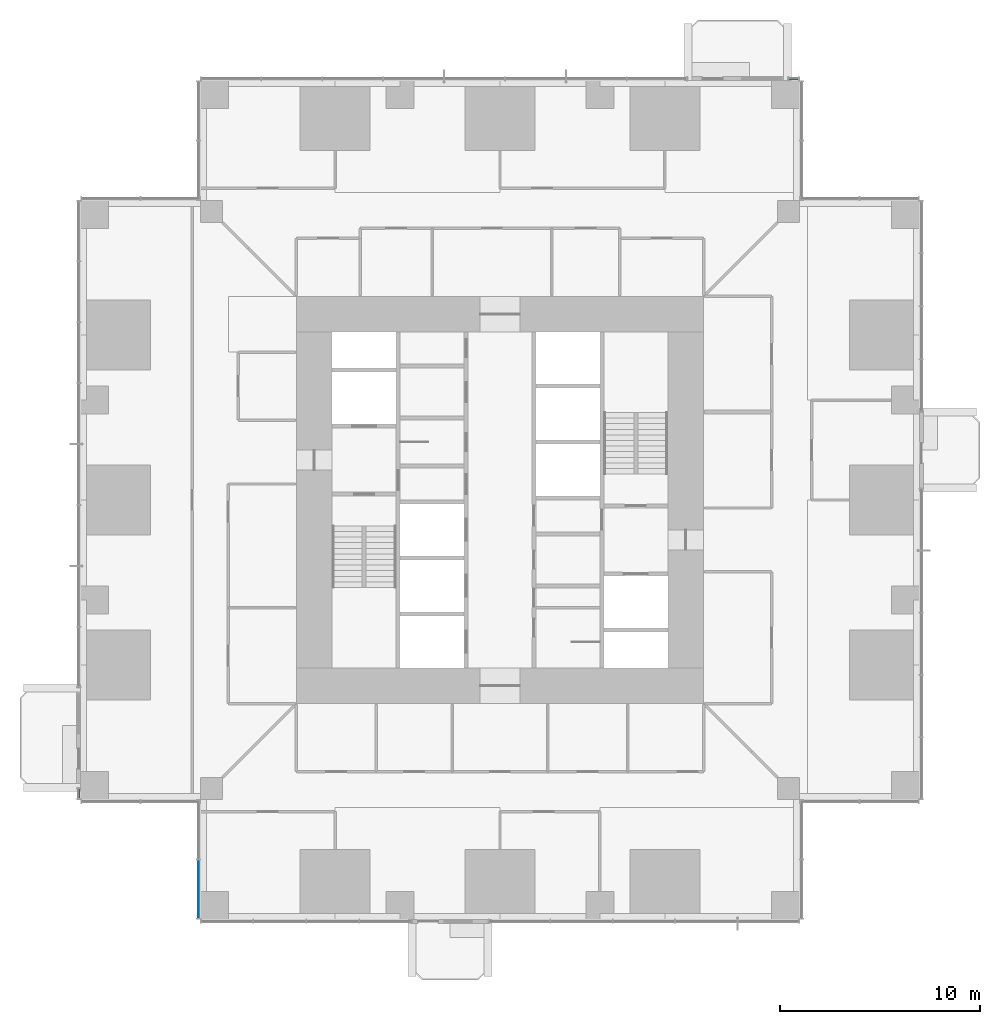
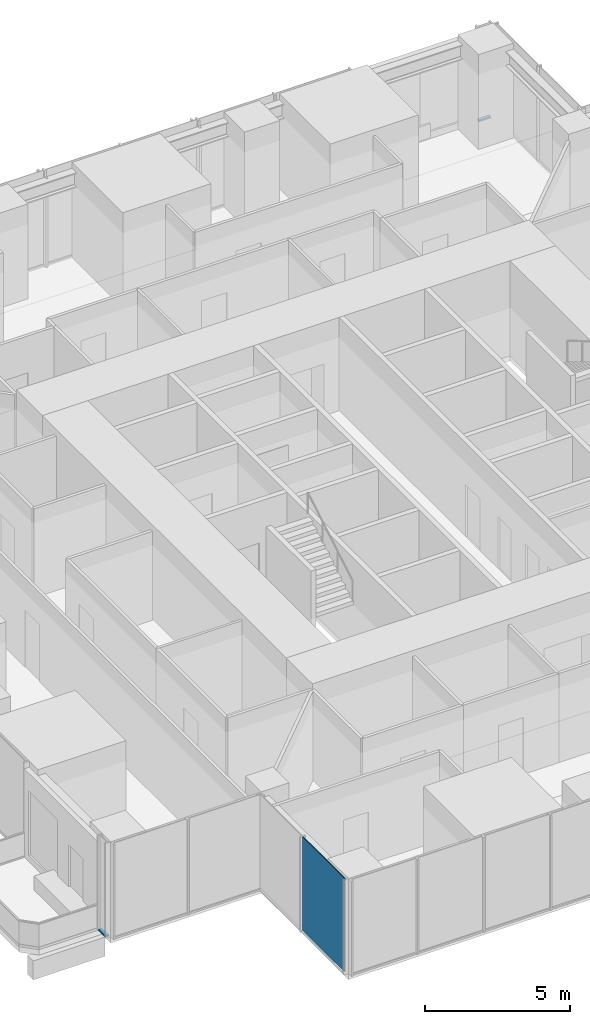
# One storey, part 7 of 18: 2 members, 1 plate, 3 elements without a shape of their own.
"""IFC4 building model written with IfcOpenShell, lengths in metres."""

import ifcopenshell
import ifcopenshell.guid

model = None  # the IFC model being written
_history = None  # IfcOwnerHistory: only IFC2X3 demands one
_inside = {}  # id of a spatial element -> (the spatial element, [elements in it])
_under = {}  # id of a project, library or spatial element -> (it, [spatial elements below it])
_declared = {}  # id of a project -> (the project, [libraries it declares])
_typed = {}  # id of a type object -> (the type object, [elements of that type])
_made_of = {}  # id of a material, layer set ... -> (it, [elements and type objects made of it])


def new_model(schema):
    """Start an empty IFC model of exactly this schema.

    Asked for "IFC4X3", IfcOpenShell would pick the latest addendum, in which some entities
    have other attributes; the version numbers below select the first issue.
    IFC2X3 requires an IfcOwnerHistory on every rooted entity: one is made here for all.
    """
    global model, _history
    if schema == "IFC4X3":
        model = ifcopenshell.file(schema_version=(4, 3, 0, 0))
    else:
        model = ifcopenshell.file(schema=schema)
    _inside.clear()
    _under.clear()
    _declared.clear()
    _typed.clear()
    _made_of.clear()
    _history = None
    if model.schema == "IFC2X3":
        org = make("IfcOrganization", Name="unknown")
        user = make(
            "IfcPersonAndOrganization",
            ThePerson=make("IfcPerson", FamilyName="unknown"),
            TheOrganization=org,
        )
        app = make(
            "IfcApplication",
            ApplicationDeveloper=org,
            Version="unknown",
            ApplicationFullName="unknown",
            ApplicationIdentifier="unknown",
        )
        _history = make(
            "IfcOwnerHistory",
            OwningUser=user,
            OwningApplication=app,
            ChangeAction="ADDED",
            CreationDate=0,
        )
    return model


def make(cls, **values):
    """One entity of the class cls with the attributes given. An attribute that is None is left unset."""
    return model.create_entity(
        cls, **{name: value for name, value in values.items() if value is not None}
    )


def rooted(cls, **values):
    """An entity with a GlobalId (a new one), such as an element, a storey or a relation."""
    return make(cls, GlobalId=ifcopenshell.guid.new(), OwnerHistory=_history, **values)


def si_unit(unit_type, name, prefix=None):
    """IfcSIUnit, for example si_unit("LENGTHUNIT", "METRE", prefix="MILLI")."""
    return make("IfcSIUnit", UnitType=unit_type, Prefix=prefix, Name=name)


def assignment(units):
    """IfcUnitAssignment: the units of a project."""
    return None if units is None else make("IfcUnitAssignment", Units=units)


def point(xyz):
    """IfcCartesianPoint."""
    return None if xyz is None else make("IfcCartesianPoint", Coordinates=xyz)


def direction(xyz):
    """IfcDirection."""
    return None if xyz is None else make("IfcDirection", DirectionRatios=xyz)


def frame(location, z_axis=None, x_axis=None):
    """IfcAxis2Placement3D, a coordinate frame: its origin and axes. An axis left out is left unset."""
    return make(
        "IfcAxis2Placement3D",
        Location=point(location),
        Axis=direction(z_axis),
        RefDirection=direction(x_axis),
    )


def frame_2d(location, x_axis=None):
    """IfcAxis2Placement2D, a coordinate frame in the plane: its origin and x axis."""
    return make(
        "IfcAxis2Placement2D", Location=point(location), RefDirection=direction(x_axis)
    )


def origin():
    """The frame at (0, 0, 0) with its axes left unset."""
    return frame((0.0, 0.0, 0.0))


def origin_2d():
    """The frame at (0, 0) in the plane with its x axis left unset."""
    return frame_2d((0.0, 0.0))


def place(relative_to, where):
    """IfcLocalPlacement: puts the frame where relative to a parent placement (None: the world)."""
    return make(
        "IfcLocalPlacement", PlacementRelTo=relative_to, RelativePlacement=where
    )


def context(
    kind, dimensions, precision=None, world=None, true_north=None, identifier=None
):
    """IfcGeometricRepresentationContext, for example the 3D "Model" context."""
    return make(
        "IfcGeometricRepresentationContext",
        ContextIdentifier=identifier,
        ContextType=kind,
        CoordinateSpaceDimension=dimensions,
        Precision=precision,
        WorldCoordinateSystem=world,
        TrueNorth=true_north,
    )


def subcontext(parent, identifier, kind, view, scale=None):
    """IfcGeometricRepresentationSubContext, for example "Body" below "Model"."""
    return make(
        "IfcGeometricRepresentationSubContext",
        ContextIdentifier=identifier,
        ContextType=kind,
        ParentContext=parent,
        TargetScale=scale,
        TargetView=view,
    )


def project(units=None, contexts=None):
    """IfcProject with its units and contexts."""
    return rooted(
        "IfcProject",
        Name="project",
        RepresentationContexts=contexts,
        UnitsInContext=assignment(units),
    )


def spatial(cls, under=None, at=None, **own):
    """A site, building, storey or space (cls), placed at a placement, below another one or the project."""
    s = rooted(cls, ObjectPlacement=at, **own)
    if under is not None:
        _under.setdefault(under.id(), (under, []))[1].append(s)
    return s


def profile(cls, at=None, kind="AREA", **sizes):
    """A parametric profile (cls). Its sizes go by their IFC names, for example OverallWidth=200.0."""
    return make(cls, ProfileType=kind, Position=at, **sizes)


def rectangle(**sizes):
    """IfcRectangleProfileDef."""
    return profile("IfcRectangleProfileDef", **sizes)


def extrude(swept, where, along, depth):
    """IfcExtrudedAreaSolid: the profile swept, set in the frame where, extruded along a direction by depth."""
    return make(
        "IfcExtrudedAreaSolid",
        SweptArea=swept,
        Position=where,
        ExtrudedDirection=direction(along),
        Depth=depth,
    )


def shape(context_of_items, identifier, shape_type, items):
    """IfcShapeRepresentation: the items that make up one representation, for example the "Body"."""
    return make(
        "IfcShapeRepresentation",
        ContextOfItems=context_of_items,
        RepresentationIdentifier=identifier,
        RepresentationType=shape_type,
        Items=items,
    )


def material(Name=None, Category=None):
    """IfcMaterial."""
    return make("IfcMaterial", Name=Name, Category=Category)


def layer(
    of_material, thickness, ventilated=None, Name=None, Category=None, Priority=None
):
    """IfcMaterialLayer: one layer of a wall or slab, of a material (None: an air gap)."""
    return make(
        "IfcMaterialLayer",
        Material=of_material,
        LayerThickness=thickness,
        IsVentilated=ventilated,
        Name=Name,
        Category=Category,
        Priority=Priority,
    )


def layer_set(layers, Name=None):
    """IfcMaterialLayerSet."""
    return make("IfcMaterialLayerSet", MaterialLayers=layers, LayerSetName=Name)


def material_profile(
    of_material, cross_section, Name=None, Category=None, Priority=None
):
    """IfcMaterialProfile: a cross section and its material."""
    return make(
        "IfcMaterialProfile",
        Name=Name,
        Material=of_material,
        Profile=cross_section,
        Priority=Priority,
        Category=Category,
    )


def profile_set(profiles, Name=None, composite=None):
    """IfcMaterialProfileSet."""
    return make(
        "IfcMaterialProfileSet",
        Name=Name,
        MaterialProfiles=profiles,
        CompositeProfile=composite,
    )


def made_of(thing, what):
    """Note that an element or type object is made of a material, layer set ...; save() writes the relation."""
    if what is not None:
        _made_of.setdefault(what.id(), (what, []))[1].append(thing)
    return thing


def type_object(cls, material=None, **own):
    """A type object (cls), such as IfcWallType, which elements share."""
    return made_of(rooted(cls, **own), material)


def element(
    cls,
    number,
    at=None,
    inside=None,
    cuts=None,
    type_object=None,
    material=None,
    context=None,
    identifier="Body",
    shape_type=None,
    held_by="IfcProductDefinitionShape",
    body=None,
    shapes=None,
    **own,
):
    """One element of the class cls, such as IfcWall. Its Tag is "e" and its number.

    at: its placement. inside: the storey or other place that contains it. cuts: it is an
    opening in that element (IfcRelVoidsElement). A single representation is given by context,
    identifier, shape_type and body (its items); several are given by shapes. held_by: the class
    of the entity that holds the representations. save() writes the other relations.
    """
    e = rooted(cls, Tag="e%d" % number, ObjectPlacement=at, **own)
    if body is not None:
        shapes = [shape(context, identifier, shape_type, body)]
    if shapes is not None:
        e.Representation = make(held_by, Representations=shapes)
    if inside is not None:
        _inside.setdefault(inside.id(), (inside, []))[1].append(e)
    if cuts is not None:
        rooted(
            "IfcRelVoidsElement", RelatingBuildingElement=cuts, RelatedOpeningElement=e
        )
    if type_object is not None:
        _typed.setdefault(type_object.id(), (type_object, []))[1].append(e)
    return made_of(e, material)


def aggregate(whole, parts):
    """IfcRelAggregates: a whole, such as a stair, and the parts it consists of."""
    return rooted("IfcRelAggregates", RelatingObject=whole, RelatedObjects=parts)


def save(model, path):
    """Write the relations noted so far, then the file.

    IfcRelAggregates (storeys below a building ...), IfcRelContainedInSpatialStructure (elements
    in a storey), IfcRelDefinesByType, IfcRelAssociatesMaterial and IfcRelDeclares: one each for
    every whole, place, type object, material and project.
    """
    for whole, parts in _under.values():
        aggregate(whole, parts)
    for where, things in _inside.values():
        rooted(
            "IfcRelContainedInSpatialStructure",
            RelatedElements=things,
            RelatingStructure=where,
        )
    for kind, things in _typed.values():
        rooted("IfcRelDefinesByType", RelatedObjects=things, RelatingType=kind)
    for what, things in _made_of.values():
        rooted("IfcRelAssociatesMaterial", RelatedObjects=things, RelatingMaterial=what)
    for by, libraries in _declared.values():
        rooted("IfcRelDeclares", RelatingContext=by, RelatedDefinitions=libraries)
    model.write(path)


model = new_model("IFC4")

# Units and contexts
model_context = context("Model", 3, precision=1e-05, world=origin(), true_north=direction((0.0, 1.0)))
body_context = subcontext(model_context, "Body", "Model", "MODEL_VIEW")
ifc_project = project(units=[si_unit("LENGTHUNIT", "METRE"), si_unit("AREAUNIT", "SQUARE_METRE"), si_unit("VOLUMEUNIT", "CUBIC_METRE"), si_unit("PLANEANGLEUNIT", "RADIAN"), si_unit("MASSUNIT", "GRAM", prefix="KILO")], contexts=[model_context])

# Site, building, storey
site_placement = place(None, origin())
site = spatial("IfcSite", under=ifc_project, at=site_placement, CompositionType="ELEMENT")
building_placement = place(site_placement, origin())
building = spatial("IfcBuilding", under=site, at=building_placement, Name="Svetlomir Tower", CompositionType="ELEMENT")
storey_placement = place(building_placement, frame((0.0, 0.0, 46.5)))
storey = spatial("IfcBuildingStorey", under=building, at=storey_placement, Name="L10", CompositionType="ELEMENT", Elevation=46.5)

# Curtain wall, member
ifc_material_1 = material(Name="Bronze anodised aluminium curtain wall", Category="aluminium")
curtain_wall_type = type_object("IfcCurtainWallType", Name="CURTAIN WALL CW1 TOWER OFFICE", PredefinedType="NOTDEFINED", material=ifc_material_1)
curtain_wall_1_placement = place(storey_placement, origin())
curtain_wall_1 = element("IfcCurtainWall", 1, at=curtain_wall_1_placement, inside=storey, type_object=curtain_wall_type, Name="Curtain wall CW1 L10", PredefinedType="NOTDEFINED")
ifc_material_2 = material(Name="Bronze anodised aluminium", Category="aluminium")
ifc_material_profile = material_profile(ifc_material_2, rectangle(XDim=0.139892578125, YDim=0.06494140625, at=origin_2d()), Name="AL 140x65")
ifc_profile_set = profile_set([ifc_material_profile], Name="Bronze anodised aluminium 6063-T6")
member_type = type_object("IfcMemberType", Name="CW1 TRANSOM 65x140", PredefinedType="USERDEFINED", material=ifc_profile_set)
member_1_placement = place(storey_placement, frame((35.93505859375, 42.10009765625, 0.032470703125), z_axis=(-1.0, 0.0, 0.0), x_axis=(0.0, -1.0, 0.0)))
member_1 = element("IfcMember", 2, at=member_1_placement, type_object=member_type, Name="CW1 transom 1.1", ObjectType="TRANSOM", PredefinedType="USERDEFINED", context=body_context, shape_type="SweptSolid", body=[
    extrude(rectangle(XDim=0.139892578125, YDim=0.06494140625, at=origin_2d()), origin(), (0.0, 0.0, 1.0), 0.469970703125),
])
aggregate(curtain_wall_1, [member_1])

curtain_wall_2_placement = place(storey_placement, origin())
curtain_wall_2 = element("IfcCurtainWall", 3, at=curtain_wall_2_placement, inside=storey, type_object=curtain_wall_type, Name="Curtain wall CW1 L10", PredefinedType="NOTDEFINED")
member_2_placement = place(storey_placement, frame((-0.10009765625, 6.534912109375, 0.032470703125), z_axis=(0.0, -1.0, 0.0), x_axis=(1.0, 0.0, 0.0)))
member_2 = element("IfcMember", 4, at=member_2_placement, type_object=member_type, Name="CW1 transom 1.1", ObjectType="TRANSOM", PredefinedType="USERDEFINED", context=body_context, shape_type="SweptSolid", body=[
    extrude(rectangle(XDim=0.139892578125, YDim=0.06494140625, at=origin_2d()), origin(), (0.0, 0.0, 1.0), 0.469970703125),
])
aggregate(curtain_wall_2, [member_2])

# Curtain wall, plate
curtain_wall_3_placement = place(storey_placement, origin())
curtain_wall_3 = element("IfcCurtainWall", 5, at=curtain_wall_3_placement, inside=storey, type_object=curtain_wall_type, Name="Curtain wall CW1 L10", PredefinedType="NOTDEFINED")
ifc_material_3 = material(Name="Tinted double glazed unit", Category="glass")
ifc_layer = layer(ifc_material_3, 0.031982421875)
ifc_layer_set = layer_set([ifc_layer], Name="Tinted double glazed unit")
plate_type = type_object("IfcPlateType", Name="CW1 GLAZED PANEL 32", PredefinedType="CURTAIN_PANEL", material=ifc_layer_set)
plate_placement = place(storey_placement, frame((5.89990234375, 1.516357421875, 0.06494140625), z_axis=(0.0, 0.0, 1.0), x_axis=(0.0, -1.0, 0.0)))
plate = element("IfcPlate", 6, at=plate_placement, type_object=plate_type, Name="CW1 panel 2.1", PredefinedType="CURTAIN_PANEL", context=body_context, shape_type="SweptSolid", body=[
    extrude(rectangle(XDim=2.902587890625, YDim=0.031982421875, at=origin_2d()), origin(), (0.0, 0.0, 1.0), 3.93505859375),
])
aggregate(curtain_wall_3, [plate])

save(model, "model.ifc")
